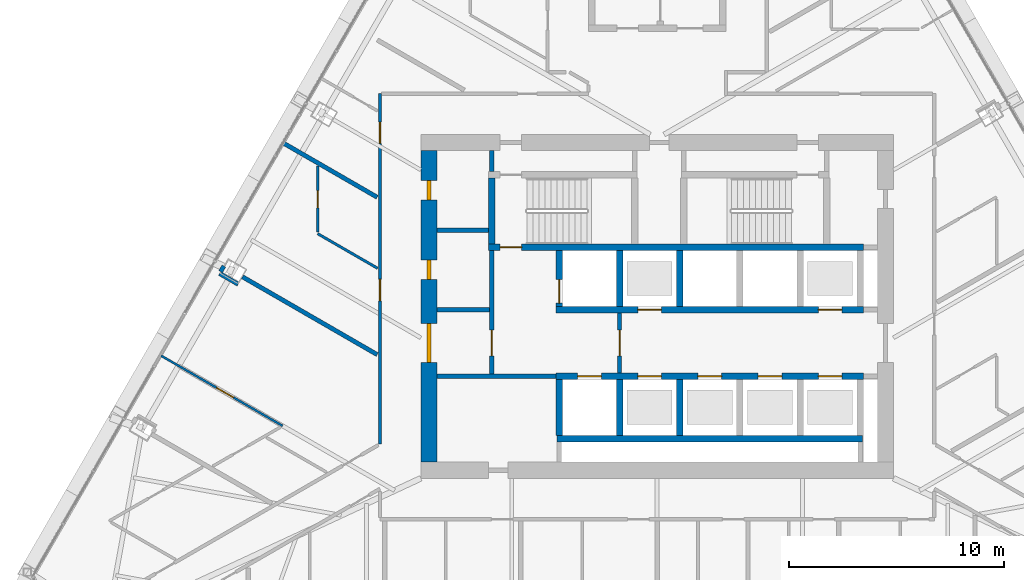
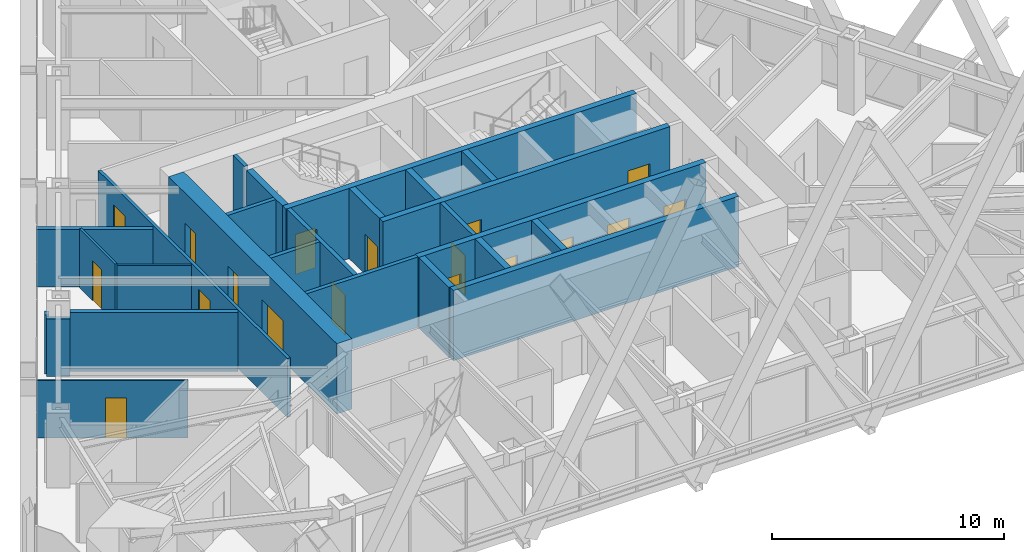
# One storey, part 13 of 19: 26 walls, 18 doors, 18 openings.
"""IFC4 building model written with IfcOpenShell, lengths in metres."""

from ifc_helpers import new_model, si_unit, direction, frame, frame_2d, origin, place, context, subcontext, project, spatial, rectangle, extrude, material, layer, layer_set, type_object, element, fill, save


model = new_model("IFC4")

# Units and contexts
model_context = context("Model", 3, precision=1e-05, world=origin(), true_north=direction((0.0, 1.0)))
body_context = subcontext(model_context, "Body", "Model", "MODEL_VIEW")
ifc_project = project(units=[si_unit("LENGTHUNIT", "METRE"), si_unit("AREAUNIT", "SQUARE_METRE"), si_unit("VOLUMEUNIT", "CUBIC_METRE"), si_unit("PLANEANGLEUNIT", "RADIAN"), si_unit("MASSUNIT", "GRAM", prefix="KILO")], contexts=[model_context])

# Site, building, storey
site_placement = place(None, origin())
site = spatial("IfcSite", under=ifc_project, at=site_placement, CompositionType="ELEMENT")
building_placement = place(site_placement, origin())
building = spatial("IfcBuilding", under=site, at=building_placement, Name="Firuza Gate Tower and Library", CompositionType="ELEMENT")
storey_placement = place(building_placement, frame((0.0, 0.0, 218.199951171875)))
storey = spatial("IfcBuildingStorey", under=building, at=storey_placement, Name="L51", CompositionType="ELEMENT", Elevation=218.199951171875)

# Walls
ifc_material_1 = material(Name="Plasterboard on steel studs", Category="steel")
ifc_layer_1 = layer(ifc_material_1, 0.199951171875)
ifc_layer_set_1 = layer_set([ifc_layer_1], Name="Core partition 200 EI 120")
wall_type_1 = type_object("IfcWallType", Name="Core partition 200 EI 120", PredefinedType="PARTITIONING", material=ifc_layer_set_1)
wall_1_placement = place(storey_placement, frame((64.75, 71.75, 0.0), z_axis=(0.0, 0.0, 1.0), x_axis=(1.0, 0.0, 0.0)))
element("IfcWall", 1, at=wall_1_placement, inside=storey, type_object=wall_type_1, Name="Core partition L51 1", PredefinedType="PARTITIONING", context=body_context, shape_type="SweptSolid", body=[
    extrude(rectangle(XDim=5.550048828125, YDim=0.199951171875, at=frame_2d((2.77490234375, 0.0))), origin(), (0.0, 0.0, 1.0), 3.699951171875),
])
ifc_material_2 = material(Name="Plasterboard on steel studs", Category="steel")
ifc_layer_2 = layer(ifc_material_2, 0.199951171875)
ifc_layer_set_2 = layer_set([ifc_layer_2], Name="Core partition 200 EI 60")
wall_type_2 = type_object("IfcWallType", Name="Core partition 200 EI 60", PredefinedType="PARTITIONING", material=ifc_layer_set_2)
wall_2_placement = place(storey_placement, frame((64.75, 74.85009765625, 0.0), z_axis=(0.0, 0.0, 1.0), x_axis=(1.0, 0.0, 0.0)))
element("IfcWall", 2, at=wall_2_placement, inside=storey, type_object=wall_type_2, Name="Core partition L51 3", PredefinedType="PARTITIONING", context=body_context, shape_type="SweptSolid", body=[
    extrude(rectangle(XDim=2.449951171875, YDim=0.199951171875, at=frame_2d((1.22509765625, 0.0))), origin(), (0.0, 0.0, 1.0), 3.699951171875),
])
wall_3_placement = place(storey_placement, frame((64.75, 78.550048828125, 0.0), z_axis=(0.0, 0.0, 1.0), x_axis=(1.0, 0.0, 0.0)))
element("IfcWall", 3, at=wall_3_placement, inside=storey, type_object=wall_type_2, Name="Core partition L51 6", PredefinedType="PARTITIONING", context=body_context, shape_type="SweptSolid", body=[
    extrude(rectangle(XDim=2.39990234375, YDim=0.199951171875, at=frame_2d((1.199951171875, 0.0))), origin(), (0.0, 0.0, 1.0), 3.699951171875),
])

# Wall, opening, door
wall_4_placement = place(storey_placement, frame((67.300048828125, 71.85009765625, 0.0), z_axis=(0.0, 0.0, 1.0), x_axis=(0.0, 1.0, 0.0)))
wall_4 = element("IfcWall", 4, at=wall_4_placement, inside=storey, type_object=wall_type_2, Name="Core partition L51 7", PredefinedType="PARTITIONING", context=body_context, shape_type="SweptSolid", body=[
    extrude(rectangle(XDim=5.75, YDim=0.199951171875, at=frame_2d((2.875, 0.0))), origin(), (0.0, 0.0, 1.0), 3.699951171875),
])
opening_1_placement = place(wall_4_placement, frame((0.85009765625, 0.0, 0.0)))
opening_1 = element("IfcOpeningElement", 5, at=opening_1_placement, cuts=wall_4, Name="Opening L51-K19", PredefinedType="OPENING", context=body_context, shape_type="SweptSolid", body=[
    extrude(rectangle(XDim=1.199951171875, YDim=2.10009765625, at=frame_2d((0.60009765625, 1.050048828125))), frame((0.0, 0.10986328125, 0.0), z_axis=(0.0, -1.0, 0.0), x_axis=(1.0, 0.0, 0.0)), (0.0, 0.0, 1.0), 0.219970703125),
])
ifc_material_3 = material(Name="Steel", Category="steel")
door_type_1 = type_object("IfcDoorType", Name="Fire door 1200x2100 FD90S", OperationType="NOTDEFINED", PredefinedType="DOOR", material=ifc_material_3)
door_1_placement = place(opening_1_placement, origin())
door_1 = element("IfcDoor", 6, at=door_1_placement, inside=storey, type_object=door_type_1, Name="Door L51-K19", OperationType="SINGLE_SWING_RIGHT", OverallHeight=2.10009765625, OverallWidth=1.199951171875, PredefinedType="DOOR", context=body_context, shape_type="SweptSolid", body=[
    extrude(rectangle(XDim=1.199951171875, YDim=2.10009765625, at=frame_2d((0.60009765625, 1.050048828125))), frame((0.0, 0.02490234375, 0.0), z_axis=(0.0, -1.0, 0.0), x_axis=(1.0, 0.0, 0.0)), (0.0, 0.0, 1.0), 0.050048828125),
])
fill(opening_1, door_1)

# Wall
wall_5_placement = place(storey_placement, frame((67.300048828125, 81.280029296875, 0.0), z_axis=(0.0, 0.0, 1.0), x_axis=(0.0, 1.0, 0.0)))
element("IfcWall", 7, at=wall_5_placement, inside=storey, type_object=wall_type_2, Name="Core partition L51 8", PredefinedType="PARTITIONING", context=body_context, shape_type="SweptSolid", body=[
    extrude(rectangle(XDim=0.969970703125, YDim=0.199951171875, at=frame_2d((0.48486328125, 0.0))), origin(), (0.0, 0.0, 1.0), 3.699951171875),
])

# Wall, opening, door
wall_6_placement = place(storey_placement, frame((73.25, 71.89990234375, 0.0), z_axis=(0.0, 0.0, 1.0), x_axis=(0.0, 1.0, 0.0)))
wall_6 = element("IfcWall", 8, at=wall_6_placement, inside=storey, type_object=wall_type_2, Name="Core partition L51 10", PredefinedType="PARTITIONING", context=body_context, shape_type="SweptSolid", body=[
    extrude(rectangle(XDim=2.800048828125, YDim=0.199951171875, at=frame_2d((1.39990234375, 0.0))), origin(), (0.0, 0.0, 1.0), 3.699951171875),
])
opening_2_placement = place(wall_6_placement, frame((0.800048828125, 0.0, 0.0)))
opening_2 = element("IfcOpeningElement", 9, at=opening_2_placement, cuts=wall_6, Name="Opening L51-K18", PredefinedType="OPENING", context=body_context, shape_type="SweptSolid", body=[
    extrude(rectangle(XDim=1.199951171875, YDim=2.10009765625, at=frame_2d((0.60009765625, 1.050048828125))), frame((0.0, 0.10986328125, 0.0), z_axis=(0.0, -1.0, 0.0), x_axis=(1.0, 0.0, 0.0)), (0.0, 0.0, 1.0), 0.219970703125),
])
door_2_placement = place(opening_2_placement, origin())
door_2 = element("IfcDoor", 10, at=door_2_placement, inside=storey, type_object=door_type_1, Name="Door L51-K18", OperationType="SINGLE_SWING_LEFT", OverallHeight=2.10009765625, OverallWidth=1.199951171875, PredefinedType="DOOR", context=body_context, shape_type="SweptSolid", body=[
    extrude(rectangle(XDim=1.199951171875, YDim=2.10009765625, at=frame_2d((0.60009765625, 1.050048828125))), frame((0.0, 0.02490234375, 0.0), z_axis=(0.0, -1.0, 0.0), x_axis=(1.0, 0.0, 0.0)), (0.0, 0.0, 1.0), 0.050048828125),
])
fill(opening_2, door_2)

# Wall
ifc_material_4 = material(Name="Concrete C80/95", Category="concrete")
ifc_layer_3 = layer(ifc_material_4, 0.300048828125)
ifc_layer_set_3 = layer_set([ifc_layer_3], Name="Core wall 300 C80/95")
wall_type_3 = type_object("IfcWallType", Name="Core wall 300 C80/95", PredefinedType="SHEAR", material=ifc_layer_set_3)
wall_7_placement = place(storey_placement, frame((70.35009765625, 68.85009765625, 0.0), z_axis=(0.0, 0.0, 1.0), x_axis=(1.0, 0.0, 0.0)))
element("IfcWall", 11, at=wall_7_placement, inside=storey, type_object=wall_type_3, Name="Core wall L51 5", PredefinedType="SHEAR", context=body_context, shape_type="SweptSolid", body=[
    extrude(rectangle(XDim=14.199951171875, YDim=0.300048828125, at=frame_2d((7.10009765625, 0.0))), origin(), (0.0, 0.0, 1.0), 3.699951171875),
])

# Wall, openings, doors
wall_8_placement = place(storey_placement, frame((70.300048828125, 71.75, 0.0), z_axis=(0.0, 0.0, 1.0), x_axis=(1.0, 0.0, 0.0)))
wall_8 = element("IfcWall", 12, at=wall_8_placement, inside=storey, type_object=wall_type_3, Name="Core wall L51 6", PredefinedType="SHEAR", context=body_context, shape_type="SweptSolid", body=[
    extrude(rectangle(XDim=14.300048828125, YDim=0.300048828125, at=frame_2d((7.14990234375, 0.0))), origin(), (0.0, 0.0, 1.0), 3.699951171875),
])
opening_3_placement = place(wall_8_placement, frame((1.0, 0.0, 0.0)))
opening_3 = element("IfcOpeningElement", 13, at=opening_3_placement, cuts=wall_8, Name="Opening LD-FF1-L51", PredefinedType="OPENING", context=body_context, shape_type="SweptSolid", body=[
    extrude(rectangle(XDim=1.10009765625, YDim=2.10009765625, at=frame_2d((0.550048828125, 1.050048828125))), frame((0.0, 0.16015625, 0.0), z_axis=(0.0, -1.0, 0.0), x_axis=(1.0, 0.0, 0.0)), (0.0, 0.0, 1.0), 0.320068359375),
])
opening_4_placement = place(wall_8_placement, frame((3.800048828125, 0.0, 0.0)))
opening_4 = element("IfcOpeningElement", 14, at=opening_4_placement, cuts=wall_8, Name="Opening LD-MR1-L51", PredefinedType="OPENING", context=body_context, shape_type="SweptSolid", body=[
    extrude(rectangle(XDim=1.10009765625, YDim=2.10009765625, at=frame_2d((0.550048828125, 1.050048828125))), frame((0.0, 0.16015625, 0.0), z_axis=(0.0, -1.0, 0.0), x_axis=(1.0, 0.0, 0.0)), (0.0, 0.0, 1.0), 0.320068359375),
])
opening_5_placement = place(wall_8_placement, frame((6.60009765625, 0.0, 0.0)))
opening_5 = element("IfcOpeningElement", 15, at=opening_5_placement, cuts=wall_8, Name="Opening LD-MR2-L51", PredefinedType="OPENING", context=body_context, shape_type="SweptSolid", body=[
    extrude(rectangle(XDim=1.10009765625, YDim=2.10009765625, at=frame_2d((0.550048828125, 1.050048828125))), frame((0.0, 0.16015625, 0.0), z_axis=(0.0, -1.0, 0.0), x_axis=(1.0, 0.0, 0.0)), (0.0, 0.0, 1.0), 0.320068359375),
])
opening_6_placement = place(wall_8_placement, frame((9.39990234375, 0.0, 0.0)))
opening_6 = element("IfcOpeningElement", 16, at=opening_6_placement, cuts=wall_8, Name="Opening LD-MR3-L51", PredefinedType="OPENING", context=body_context, shape_type="SweptSolid", body=[
    extrude(rectangle(XDim=1.10009765625, YDim=2.10009765625, at=frame_2d((0.550048828125, 1.050048828125))), frame((0.0, 0.16015625, 0.0), z_axis=(0.0, -1.0, 0.0), x_axis=(1.0, 0.0, 0.0)), (0.0, 0.0, 1.0), 0.320068359375),
])
opening_7_placement = place(wall_8_placement, frame((12.199951171875, 0.0, 0.0)))
opening_7 = element("IfcOpeningElement", 17, at=opening_7_placement, cuts=wall_8, Name="Opening LD-MR5-L51", PredefinedType="OPENING", context=body_context, shape_type="SweptSolid", body=[
    extrude(rectangle(XDim=1.10009765625, YDim=2.10009765625, at=frame_2d((0.550048828125, 1.050048828125))), frame((0.0, 0.16015625, 0.0), z_axis=(0.0, -1.0, 0.0), x_axis=(1.0, 0.0, 0.0)), (0.0, 0.0, 1.0), 0.320068359375),
])
ifc_material_5 = material(Name="Stainless steel", Category="steel")
door_type_2 = type_object("IfcDoorType", Name="Lift landing door 1100x2100", OperationType="DOUBLE_DOOR_SLIDING", PredefinedType="DOOR", material=ifc_material_5)
door_3_placement = place(opening_3_placement, origin())
door_3 = element("IfcDoor", 18, at=door_3_placement, inside=storey, type_object=door_type_2, Name="Landing door FF1 L51", OperationType="DOUBLE_DOOR_SLIDING", OverallHeight=2.10009765625, OverallWidth=1.10009765625, PredefinedType="DOOR", context=body_context, shape_type="SweptSolid", body=[
    extrude(rectangle(XDim=1.10009765625, YDim=2.10009765625, at=frame_2d((0.550048828125, 1.050048828125))), frame((0.0, 0.02490234375, 0.0), z_axis=(0.0, -1.0, 0.0), x_axis=(1.0, 0.0, 0.0)), (0.0, 0.0, 1.0), 0.050048828125),
])
fill(opening_3, door_3)
door_4_placement = place(opening_4_placement, origin())
door_4 = element("IfcDoor", 19, at=door_4_placement, inside=storey, type_object=door_type_2, Name="Landing door MR1 L51", OperationType="DOUBLE_DOOR_SLIDING", OverallHeight=2.10009765625, OverallWidth=1.10009765625, PredefinedType="DOOR", context=body_context, shape_type="SweptSolid", body=[
    extrude(rectangle(XDim=1.10009765625, YDim=2.10009765625, at=frame_2d((0.550048828125, 1.050048828125))), frame((0.0, 0.02490234375, 0.0), z_axis=(0.0, -1.0, 0.0), x_axis=(1.0, 0.0, 0.0)), (0.0, 0.0, 1.0), 0.050048828125),
])
fill(opening_4, door_4)
door_5_placement = place(opening_5_placement, origin())
door_5 = element("IfcDoor", 20, at=door_5_placement, inside=storey, type_object=door_type_2, Name="Landing door MR2 L51", OperationType="DOUBLE_DOOR_SLIDING", OverallHeight=2.10009765625, OverallWidth=1.10009765625, PredefinedType="DOOR", context=body_context, shape_type="SweptSolid", body=[
    extrude(rectangle(XDim=1.10009765625, YDim=2.10009765625, at=frame_2d((0.550048828125, 1.050048828125))), frame((0.0, 0.02490234375, 0.0), z_axis=(0.0, -1.0, 0.0), x_axis=(1.0, 0.0, 0.0)), (0.0, 0.0, 1.0), 0.050048828125),
])
fill(opening_5, door_5)
door_6_placement = place(opening_6_placement, origin())
door_6 = element("IfcDoor", 21, at=door_6_placement, inside=storey, type_object=door_type_2, Name="Landing door MR3 L51", OperationType="DOUBLE_DOOR_SLIDING", OverallHeight=2.10009765625, OverallWidth=1.10009765625, PredefinedType="DOOR", context=body_context, shape_type="SweptSolid", body=[
    extrude(rectangle(XDim=1.10009765625, YDim=2.10009765625, at=frame_2d((0.550048828125, 1.050048828125))), frame((0.0, 0.02490234375, 0.0), z_axis=(0.0, -1.0, 0.0), x_axis=(1.0, 0.0, 0.0)), (0.0, 0.0, 1.0), 0.050048828125),
])
fill(opening_6, door_6)
door_7_placement = place(opening_7_placement, origin())
door_7 = element("IfcDoor", 22, at=door_7_placement, inside=storey, type_object=door_type_2, Name="Landing door MR5 L51", OperationType="DOUBLE_DOOR_SLIDING", OverallHeight=2.10009765625, OverallWidth=1.10009765625, PredefinedType="DOOR", context=body_context, shape_type="SweptSolid", body=[
    extrude(rectangle(XDim=1.10009765625, YDim=2.10009765625, at=frame_2d((0.550048828125, 1.050048828125))), frame((0.0, 0.02490234375, 0.0), z_axis=(0.0, -1.0, 0.0), x_axis=(1.0, 0.0, 0.0)), (0.0, 0.0, 1.0), 0.050048828125),
])
fill(opening_7, door_7)

wall_9_placement = place(storey_placement, frame((70.300048828125, 74.85009765625, 0.0), z_axis=(0.0, 0.0, 1.0), x_axis=(1.0, 0.0, 0.0)))
wall_9 = element("IfcWall", 23, at=wall_9_placement, inside=storey, type_object=wall_type_3, Name="Core wall L51 7", PredefinedType="SHEAR", context=body_context, shape_type="SweptSolid", body=[
    extrude(rectangle(XDim=14.300048828125, YDim=0.300048828125, at=frame_2d((7.14990234375, 0.0))), origin(), (0.0, 0.0, 1.0), 3.699951171875),
])
opening_8_placement = place(wall_9_placement, frame((3.800048828125, 0.0, 0.0)))
opening_8 = element("IfcOpeningElement", 24, at=opening_8_placement, cuts=wall_9, Name="Opening LD-MR4-L51", PredefinedType="OPENING", context=body_context, shape_type="SweptSolid", body=[
    extrude(rectangle(XDim=1.10009765625, YDim=2.10009765625, at=frame_2d((0.550048828125, 1.050048828125))), frame((0.0, 0.16015625, 0.0), z_axis=(0.0, -1.0, 0.0), x_axis=(1.0, 0.0, 0.0)), (0.0, 0.0, 1.0), 0.320068359375),
])
opening_9_placement = place(wall_9_placement, frame((12.199951171875, 0.0, 0.0)))
opening_9 = element("IfcOpeningElement", 25, at=opening_9_placement, cuts=wall_9, Name="Opening LD-MR6-L51", PredefinedType="OPENING", context=body_context, shape_type="SweptSolid", body=[
    extrude(rectangle(XDim=1.10009765625, YDim=2.10009765625, at=frame_2d((0.550048828125, 1.050048828125))), frame((0.0, 0.16015625, 0.0), z_axis=(0.0, -1.0, 0.0), x_axis=(1.0, 0.0, 0.0)), (0.0, 0.0, 1.0), 0.320068359375),
])
door_8_placement = place(opening_8_placement, origin())
door_8 = element("IfcDoor", 26, at=door_8_placement, inside=storey, type_object=door_type_2, Name="Landing door MR4 L51", OperationType="DOUBLE_DOOR_SLIDING", OverallHeight=2.10009765625, OverallWidth=1.10009765625, PredefinedType="DOOR", context=body_context, shape_type="SweptSolid", body=[
    extrude(rectangle(XDim=1.10009765625, YDim=2.10009765625, at=frame_2d((0.550048828125, 1.050048828125))), frame((0.0, 0.02490234375, 0.0), z_axis=(0.0, -1.0, 0.0), x_axis=(1.0, 0.0, 0.0)), (0.0, 0.0, 1.0), 0.050048828125),
])
fill(opening_8, door_8)
door_9_placement = place(opening_9_placement, origin())
door_9 = element("IfcDoor", 27, at=door_9_placement, inside=storey, type_object=door_type_2, Name="Landing door MR6 L51", OperationType="DOUBLE_DOOR_SLIDING", OverallHeight=2.10009765625, OverallWidth=1.10009765625, PredefinedType="DOOR", context=body_context, shape_type="SweptSolid", body=[
    extrude(rectangle(XDim=1.10009765625, YDim=2.10009765625, at=frame_2d((0.550048828125, 1.050048828125))), frame((0.0, 0.02490234375, 0.0), z_axis=(0.0, -1.0, 0.0), x_axis=(1.0, 0.0, 0.0)), (0.0, 0.0, 1.0), 0.050048828125),
])
fill(opening_9, door_9)

# Wall
wall_10_placement = place(storey_placement, frame((70.449951171875, 69.0, 0.0), z_axis=(0.0, 0.0, 1.0), x_axis=(0.0, 1.0, 0.0)))
element("IfcWall", 28, at=wall_10_placement, inside=storey, type_object=wall_type_3, Name="Core wall L51 8", PredefinedType="SHEAR", context=body_context, shape_type="SweptSolid", body=[
    extrude(rectangle(XDim=2.60009765625, YDim=0.300048828125, at=frame_2d((1.300048828125, 0.0))), origin(), (0.0, 0.0, 1.0), 3.699951171875),
])

# Wall, opening, door
wall_11_placement = place(storey_placement, frame((70.449951171875, 75.0, 0.0), z_axis=(0.0, 0.0, 1.0), x_axis=(0.0, 1.0, 0.0)))
wall_11 = element("IfcWall", 29, at=wall_11_placement, inside=storey, type_object=wall_type_3, Name="Core wall L51 9", PredefinedType="SHEAR", context=body_context, shape_type="SweptSolid", body=[
    extrude(rectangle(XDim=2.60009765625, YDim=0.300048828125, at=frame_2d((1.300048828125, 0.0))), origin(), (0.0, 0.0, 1.0), 3.699951171875),
])
opening_10_placement = place(wall_11_placement, frame((0.14990234375, 0.0, 0.0)))
opening_10 = element("IfcOpeningElement", 30, at=opening_10_placement, cuts=wall_11, Name="Opening LD-FF2-L51", PredefinedType="OPENING", context=body_context, shape_type="SweptSolid", body=[
    extrude(rectangle(XDim=1.10009765625, YDim=2.10009765625, at=frame_2d((0.550048828125, 1.050048828125))), frame((0.0, 0.16015625, 0.0), z_axis=(0.0, -1.0, 0.0), x_axis=(1.0, 0.0, 0.0)), (0.0, 0.0, 1.0), 0.320068359375),
])
door_10_placement = place(opening_10_placement, origin())
door_10 = element("IfcDoor", 31, at=door_10_placement, inside=storey, type_object=door_type_2, Name="Landing door FF2 L51", OperationType="DOUBLE_DOOR_SLIDING", OverallHeight=2.10009765625, OverallWidth=1.10009765625, PredefinedType="DOOR", context=body_context, shape_type="SweptSolid", body=[
    extrude(rectangle(XDim=1.10009765625, YDim=2.10009765625, at=frame_2d((0.550048828125, 1.050048828125))), frame((0.0, 0.02490234375, 0.0), z_axis=(0.0, -1.0, 0.0), x_axis=(1.0, 0.0, 0.0)), (0.0, 0.0, 1.0), 0.050048828125),
])
fill(opening_10, door_10)

# Walls
for number, where, z_axis, x_axis, name in (
    (32, (73.25, 69.0, 0.0), (0.0, 0.0, 1.0), (0.0, 1.0, 0.0), "Core wall L51 10"),
    (33, (73.25, 75.0, 0.0), (0.0, 0.0, 1.0), (0.0, 1.0, 0.0), "Core wall L51 11"),
    (34, (76.050048828125, 69.0, 0.0), (0.0, 0.0, 1.0), (0.0, 1.0, 0.0), "Core wall L51 12"),
    (35, (76.050048828125, 75.0, 0.0), (0.0, 0.0, 1.0), (0.0, 1.0, 0.0), "Core wall L51 13"),
):
    element("IfcWall", number, at=place(storey_placement, frame(where, z_axis=z_axis, x_axis=x_axis)), inside=storey, type_object=wall_type_3, Name=name, PredefinedType="SHEAR", context=body_context, shape_type="SweptSolid", body=[
        extrude(rectangle(XDim=2.60009765625, YDim=0.300048828125, at=frame_2d((1.300048828125, 0.0))), origin(), (0.0, 0.0, 1.0), 3.699951171875),
    ])

# Wall, opening, door
wall_12_placement = place(storey_placement, frame((67.14990234375, 77.75, 0.0), z_axis=(0.0, 0.0, 1.0), x_axis=(1.0, 0.0, 0.0)))
wall_12 = element("IfcWall", 36, at=wall_12_placement, inside=storey, type_object=wall_type_3, Name="Core wall L51 20", PredefinedType="SHEAR", context=body_context, shape_type="SweptSolid", body=[
    extrude(rectangle(XDim=17.4501953125, YDim=0.300048828125, at=frame_2d((8.72509765625, 0.0))), origin(), (0.0, 0.0, 1.0), 3.699951171875),
])
opening_11_placement = place(wall_12_placement, frame((0.544921875, 0.0, 0.0)))
opening_11 = element("IfcOpeningElement", 37, at=opening_11_placement, cuts=wall_12, Name="Opening L51-K10", PredefinedType="OPENING", context=body_context, shape_type="SweptSolid", body=[
    extrude(rectangle(XDim=1.0, YDim=2.10009765625, at=frame_2d((0.5, 1.050048828125))), frame((0.0, 0.16015625, 0.0), z_axis=(0.0, -1.0, 0.0), x_axis=(1.0, 0.0, 0.0)), (0.0, 0.0, 1.0), 0.320068359375),
])
ifc_material_6 = material(Name="Steel", Category="steel")
door_type_3 = type_object("IfcDoorType", Name="Fire door 1000x2100 FD90", OperationType="NOTDEFINED", PredefinedType="DOOR", material=ifc_material_6)
door_11_placement = place(opening_11_placement, origin())
door_11 = element("IfcDoor", 38, at=door_11_placement, inside=storey, type_object=door_type_3, Name="Door L51-K10", OperationType="SINGLE_SWING_LEFT", OverallHeight=2.10009765625, OverallWidth=1.0, PredefinedType="DOOR", context=body_context, shape_type="SweptSolid", body=[
    extrude(rectangle(XDim=1.0, YDim=2.10009765625, at=frame_2d((0.5, 1.050048828125))), frame((0.0, 0.02490234375, 0.0), z_axis=(0.0, -1.0, 0.0), x_axis=(1.0, 0.0, 0.0)), (0.0, 0.0, 1.0), 0.050048828125),
])
fill(opening_11, door_11)

# Wall
wall_13_placement = place(storey_placement, frame((67.300048828125, 77.89990234375, 0.0), z_axis=(0.0, 0.0, 1.0), x_axis=(0.0, 1.0, 0.0)))
element("IfcWall", 39, at=wall_13_placement, inside=storey, type_object=wall_type_3, Name="Core wall L51 23", PredefinedType="SHEAR", context=body_context, shape_type="SweptSolid", body=[
    extrude(rectangle(XDim=3.080078125, YDim=0.300048828125, at=frame_2d((1.5400390625, 0.0))), origin(), (0.0, 0.0, 1.0), 3.699951171875),
])

# Wall, openings, doors
ifc_material_7 = material(Name="Concrete C80/95", Category="concrete")
ifc_layer_4 = layer(ifc_material_7, 0.75)
ifc_layer_set_4 = layer_set([ifc_layer_4], Name="Core wall 750 C80/95")
wall_type_4 = type_object("IfcWallType", Name="Core wall 750 C80/95", PredefinedType="SHEAR", material=ifc_layer_set_4)
wall_14_placement = place(storey_placement, frame((64.375, 67.75, 0.0), z_axis=(0.0, 0.0, 1.0), x_axis=(0.0, 1.0, 0.0)))
wall_14 = element("IfcWall", 40, at=wall_14_placement, inside=storey, type_object=wall_type_4, Name="Core wall L51 3", PredefinedType="SHEAR", context=body_context, shape_type="SweptSolid", body=[
    extrude(rectangle(XDim=14.5, YDim=0.75, at=frame_2d((7.25, 0.0))), origin(), (0.0, 0.0, 1.0), 3.699951171875),
])
opening_12_placement = place(wall_14_placement, frame((4.64990234375, 0.0, 0.0)))
opening_12 = element("IfcOpeningElement", 41, at=opening_12_placement, cuts=wall_14, Name="Opening L51-K20", PredefinedType="OPENING", context=body_context, shape_type="SweptSolid", body=[
    extrude(rectangle(XDim=1.800048828125, YDim=2.10009765625, at=frame_2d((0.89990234375, 1.050048828125))), frame((0.0, 0.385009765625, 0.0), z_axis=(0.0, -1.0, 0.0), x_axis=(1.0, 0.0, 0.0)), (0.0, 0.0, 1.0), 0.77001953125),
])
opening_13_placement = place(wall_14_placement, frame((8.5, 0.0, 0.0)))
opening_13 = element("IfcOpeningElement", 42, at=opening_13_placement, cuts=wall_14, Name="Opening L51-K23", PredefinedType="OPENING", context=body_context, shape_type="SweptSolid", body=[
    extrude(rectangle(XDim=0.89990234375, YDim=2.10009765625, at=frame_2d((0.449951171875, 1.050048828125))), frame((0.0, 0.385009765625, 0.0), z_axis=(0.0, -1.0, 0.0), x_axis=(1.0, 0.0, 0.0)), (0.0, 0.0, 1.0), 0.77001953125),
])
opening_14_placement = place(wall_14_placement, frame((12.199951171875, 0.0, 0.0)))
opening_14 = element("IfcOpeningElement", 43, at=opening_14_placement, cuts=wall_14, Name="Opening L51-K24", PredefinedType="OPENING", context=body_context, shape_type="SweptSolid", body=[
    extrude(rectangle(XDim=0.89990234375, YDim=2.10009765625, at=frame_2d((0.449951171875, 1.050048828125))), frame((0.0, 0.385009765625, 0.0), z_axis=(0.0, -1.0, 0.0), x_axis=(1.0, 0.0, 0.0)), (0.0, 0.0, 1.0), 0.77001953125),
])
ifc_material_8 = material(Name="Steel", Category="steel")
door_type_4 = type_object("IfcDoorType", Name="Fire door 1800x2100 FD30S", OperationType="NOTDEFINED", PredefinedType="DOOR", material=ifc_material_8)
door_12_placement = place(opening_12_placement, origin())
door_12 = element("IfcDoor", 44, at=door_12_placement, inside=storey, type_object=door_type_4, Name="Door L51-K20", OperationType="SINGLE_SWING_LEFT", OverallHeight=2.10009765625, OverallWidth=1.800048828125, PredefinedType="DOOR", context=body_context, shape_type="SweptSolid", body=[
    extrude(rectangle(XDim=1.800048828125, YDim=2.10009765625, at=frame_2d((0.89990234375, 1.050048828125))), frame((0.0, 0.094970703125, 0.0), z_axis=(0.0, -1.0, 0.0), x_axis=(1.0, 0.0, 0.0)), (0.0, 0.0, 1.0), 0.18994140625),
])
fill(opening_12, door_12)
ifc_material_9 = material(Name="Steel", Category="steel")
door_type_5 = type_object("IfcDoorType", Name="Fire door 900x2100 FD30S", OperationType="NOTDEFINED", PredefinedType="DOOR", material=ifc_material_9)
door_13_placement = place(opening_13_placement, origin())
door_13 = element("IfcDoor", 45, at=door_13_placement, inside=storey, type_object=door_type_5, Name="Door L51-K23", OperationType="SINGLE_SWING_RIGHT", OverallHeight=2.10009765625, OverallWidth=0.89990234375, PredefinedType="DOOR", context=body_context, shape_type="SweptSolid", body=[
    extrude(rectangle(XDim=0.89990234375, YDim=2.10009765625, at=frame_2d((0.449951171875, 1.050048828125))), frame((0.0, 0.094970703125, 0.0), z_axis=(0.0, -1.0, 0.0), x_axis=(1.0, 0.0, 0.0)), (0.0, 0.0, 1.0), 0.18994140625),
])
fill(opening_13, door_13)
door_14_placement = place(opening_14_placement, origin())
door_14 = element("IfcDoor", 46, at=door_14_placement, inside=storey, type_object=door_type_5, Name="Door L51-K24", OperationType="SINGLE_SWING_LEFT", OverallHeight=2.10009765625, OverallWidth=0.89990234375, PredefinedType="DOOR", context=body_context, shape_type="SweptSolid", body=[
    extrude(rectangle(XDim=0.89990234375, YDim=2.10009765625, at=frame_2d((0.449951171875, 1.050048828125))), frame((0.0, 0.094970703125, 0.0), z_axis=(0.0, -1.0, 0.0), x_axis=(1.0, 0.0, 0.0)), (0.0, 0.0, 1.0), 0.18994140625),
])
fill(opening_14, door_14)

ifc_material_10 = material(Name="Gypsum board partition")
ifc_layer_5 = layer(ifc_material_10, 0.14990234375)
ifc_layer_set_5 = layer_set([ifc_layer_5], Name="Corridor wall 150 double board on steel studs")
wall_type_5 = type_object("IfcWallType", Name="Corridor wall 150 double board on steel studs", PredefinedType="PARTITIONING", material=ifc_layer_set_5)
wall_15_placement = place(storey_placement, frame((62.10009765625, 68.59130859375, 0.0), z_axis=(0.0, 0.0, 1.0), x_axis=(0.0, 1.0, 0.0)))
wall_15 = element("IfcWall", 47, at=wall_15_placement, inside=storey, type_object=wall_type_5, Name="f:L51:w082", PredefinedType="PARTITIONING", context=body_context, shape_type="SweptSolid", body=[
    extrude(rectangle(XDim=16.30859375, YDim=0.14990234375, at=frame_2d((8.154296875, 0.0))), origin(), (0.0, 0.0, 1.0), 3.10009765625),
])
opening_15_placement = place(wall_15_placement, frame((6.66845703125, 0.0, 0.0)))
opening_15 = element("IfcOpeningElement", 48, at=opening_15_placement, cuts=wall_15, Name="Opening L51-37", PredefinedType="OPENING", context=body_context, shape_type="SweptSolid", body=[
    extrude(rectangle(XDim=1.0, YDim=2.10009765625, at=frame_2d((0.5, 1.050048828125))), frame((0.0, 0.0849609375, 0.0), z_axis=(0.0, -1.0, 0.0), x_axis=(1.0, 0.0, 0.0)), (0.0, 0.0, 1.0), 0.169921875),
])
opening_16_placement = place(wall_15_placement, frame((13.991455078125, 0.0, 0.0)))
opening_16 = element("IfcOpeningElement", 49, at=opening_16_placement, cuts=wall_15, Name="Opening L51-38", PredefinedType="OPENING", context=body_context, shape_type="SweptSolid", body=[
    extrude(rectangle(XDim=1.0, YDim=2.10009765625, at=frame_2d((0.5, 1.050048828125))), frame((0.0, 0.0849609375, 0.0), z_axis=(0.0, -1.0, 0.0), x_axis=(1.0, 0.0, 0.0)), (0.0, 0.0, 1.0), 0.169921875),
])
ifc_material_11 = material(Name="Steel door and timber leaf", Category="steel")
door_type_6 = type_object("IfcDoorType", Name="Fire door 1000 x 2100 steel frame, timber leaf", OperationType="NOTDEFINED", PredefinedType="DOOR", material=ifc_material_11)
door_15_placement = place(opening_15_placement, origin())
door_15 = element("IfcDoor", 50, at=door_15_placement, inside=storey, type_object=door_type_6, Name="f:L51:d037", OperationType="SINGLE_SWING_RIGHT", OverallHeight=2.10009765625, OverallWidth=1.0, PredefinedType="DOOR", context=body_context, shape_type="SweptSolid", body=[
    extrude(rectangle(XDim=1.0, YDim=2.10009765625, at=frame_2d((0.5, 1.050048828125))), frame((0.0, 0.02490234375, 0.0), z_axis=(0.0, -1.0, 0.0), x_axis=(1.0, 0.0, 0.0)), (0.0, 0.0, 1.0), 0.050048828125),
])
fill(opening_15, door_15)
door_16_placement = place(opening_16_placement, origin())
door_16 = element("IfcDoor", 51, at=door_16_placement, inside=storey, type_object=door_type_6, Name="f:L51:d038", OperationType="SINGLE_SWING_RIGHT", OverallHeight=2.10009765625, OverallWidth=1.0, PredefinedType="DOOR", context=body_context, shape_type="SweptSolid", body=[
    extrude(rectangle(XDim=1.0, YDim=2.10009765625, at=frame_2d((0.5, 1.050048828125))), frame((0.0, 0.02490234375, 0.0), z_axis=(0.0, -1.0, 0.0), x_axis=(1.0, 0.0, 0.0)), (0.0, 0.0, 1.0), 0.050048828125),
])
fill(opening_16, door_16)

# Walls
ifc_material_12 = material(Name="Gypsum board partition")
ifc_layer_6 = layer(ifc_material_12, 0.199951171875)
ifc_layer_set_6 = layer_set([ifc_layer_6], Name="Demising wall 200 acoustic double stud")
wall_type_6 = type_object("IfcWallType", Name="Demising wall 200 acoustic double stud", PredefinedType="PARTITIONING", material=ifc_layer_set_6)
wall_16_placement = place(storey_placement, frame((54.684814453125, 76.618896484375, 0.0), z_axis=(0.0, 0.0, 1.0), x_axis=(0.499816412211, 0.866131372301, 0.0)))
element("IfcWall", 52, at=wall_16_placement, inside=storey, type_object=wall_type_6, Name="f:L51:w046", PredefinedType="PARTITIONING", context=body_context, shape_type="SweptSolid", body=[
    extrude(rectangle(XDim=0.2998046875, YDim=0.199951171875, at=frame_2d((0.14990234375, 0.0))), origin(), (0.0, 0.0, 1.0), 3.10009765625),
])
wall_17_placement = place(storey_placement, frame((61.97314453125, 80.080078125, 0.0), z_axis=(0.0, 0.0, 1.0), x_axis=(-0.866017018378, 0.500014523669, 0.0)))
element("IfcWall", 53, at=wall_17_placement, inside=storey, type_object=wall_type_6, Name="f:L51:w109", PredefinedType="PARTITIONING", context=body_context, shape_type="SweptSolid", body=[
    extrude(rectangle(XDim=5.040771484375, YDim=0.199951171875, at=frame_2d((2.5205078125, 0.0))), origin(), (0.0, 0.0, 1.0), 3.02197265625),
])
wall_18_placement = place(storey_placement, frame((61.972900390625, 72.757080078125, 0.0), z_axis=(0.0, 0.0, 1.0), x_axis=(-0.866027278279, 0.499996753267, 0.0)))
element("IfcWall", 54, at=wall_18_placement, inside=storey, type_object=wall_type_6, Name="f:L51:w112", PredefinedType="PARTITIONING", context=body_context, shape_type="SweptSolid", body=[
    extrude(rectangle(XDim=7.2421875, YDim=0.199951171875, at=frame_2d((3.62109375, 0.0))), origin(), (0.0, 0.0, 1.0), 3.10009765625),
])
wall_19_placement = place(storey_placement, frame((55.5009765625, 76.03173828125, 0.0), z_axis=(0.0, 0.0, 1.0), x_axis=(-0.866010750942, 0.50002537861, 0.0)))
element("IfcWall", 55, at=wall_19_placement, inside=storey, type_object=wall_type_6, Name="f:L51:w113", PredefinedType="PARTITIONING", context=body_context, shape_type="SweptSolid", body=[
    extrude(rectangle(XDim=1.0, YDim=0.199951171875, at=frame_2d((0.5, 0.0))), origin(), (0.0, 0.0, 1.0), 3.02197265625),
])

# Wall, opening, door
ifc_material_13 = material(Name="Gypsum board partition")
ifc_layer_7 = layer(ifc_material_13, 0.10009765625)
ifc_layer_set_7 = layer_set([ifc_layer_7], Name="Partition 100 gypsum board on steel studs")
wall_type_7 = type_object("IfcWallType", Name="Partition 100 gypsum board on steel studs", PredefinedType="PARTITIONING", material=ifc_layer_set_7)
wall_20_placement = place(storey_placement, frame((57.571044921875, 69.440673828125, 0.0), z_axis=(0.0, 0.0, 1.0), x_axis=(-0.866026229868, 0.499998569178, 0.0)))
wall_20 = element("IfcWall", 56, at=wall_20_placement, inside=storey, type_object=wall_type_7, Name="f:L51:w114", PredefinedType="PARTITIONING", context=body_context, shape_type="SweptSolid", body=[
    extrude(rectangle(XDim=6.53125, YDim=0.10009765625, at=frame_2d((3.265625, 0.0))), origin(), (0.0, 0.0, 1.0), 3.02197265625),
])
opening_17_placement = place(wall_20_placement, frame((2.64404296875, 0.0, 0.0)))
opening_17 = element("IfcOpeningElement", 57, at=opening_17_placement, cuts=wall_20, Name="Opening L51-48", PredefinedType="OPENING", context=body_context, shape_type="SweptSolid", body=[
    extrude(rectangle(XDim=0.89990234375, YDim=2.10009765625, at=frame_2d((0.449951171875, 1.050048828125))), frame((0.0, 0.06005859375, 0.0), z_axis=(0.0, -1.0, 0.0), x_axis=(1.0, 0.0, 0.0)), (0.0, 0.0, 1.0), 0.1201171875),
])
ifc_material_14 = material(Name="Timber door", Category="wood")
door_type_7 = type_object("IfcDoorType", Name="Door 900 x 2100 timber leaf", OperationType="NOTDEFINED", PredefinedType="DOOR", material=ifc_material_14)
door_17_placement = place(opening_17_placement, origin())
door_17 = element("IfcDoor", 58, at=door_17_placement, inside=storey, type_object=door_type_7, Name="f:L51:d048", OperationType="SINGLE_SWING_LEFT", OverallHeight=2.10009765625, OverallWidth=0.89990234375, PredefinedType="DOOR", context=body_context, shape_type="SweptSolid", body=[
    extrude(rectangle(XDim=0.89990234375, YDim=2.10009765625, at=frame_2d((0.449951171875, 1.050048828125))), frame((0.0, 0.02490234375, 0.0), z_axis=(0.0, -1.0, 0.0), x_axis=(1.0, 0.0, 0.0)), (0.0, 0.0, 1.0), 0.050048828125),
])
fill(opening_17, door_17)

ifc_material_15 = material(Name="Gypsum board partition")
ifc_layer_8 = layer(ifc_material_15, 0.1201171875)
ifc_layer_set_8 = layer_set([ifc_layer_8], Name="Wet-area partition 120 moisture-resistant board")
wall_type_8 = type_object("IfcWallType", Name="Wet-area partition 120 moisture-resistant board", PredefinedType="PARTITIONING", material=ifc_layer_set_8)
wall_21_placement = place(storey_placement, frame((59.199951171875, 81.525634765625, 0.0), z_axis=(0.0, 0.0, 1.0), x_axis=(0.0, -1.0, 0.0)))
wall_21 = element("IfcWall", 59, at=wall_21_placement, inside=storey, type_object=wall_type_8, Name="f:L51:w083", PredefinedType="PARTITIONING", context=body_context, shape_type="SweptSolid", body=[
    extrude(rectangle(XDim=3.0703125, YDim=0.1201171875, at=frame_2d((1.53515625, 0.0))), origin(), (0.0, 0.0, 1.0), 3.10009765625),
])
opening_18_placement = place(wall_21_placement, frame((1.13525390625, 0.0, 0.0)))
opening_18 = element("IfcOpeningElement", 60, at=opening_18_placement, cuts=wall_21, Name="Opening L51-39", PredefinedType="OPENING", context=body_context, shape_type="SweptSolid", body=[
    extrude(rectangle(XDim=0.800048828125, YDim=2.10009765625, at=frame_2d((0.39990234375, 1.050048828125))), frame((0.0, 0.070068359375, 0.0), z_axis=(0.0, -1.0, 0.0), x_axis=(1.0, 0.0, 0.0)), (0.0, 0.0, 1.0), 0.14013671875),
])
ifc_material_16 = material(Name="Timber door", Category="wood")
door_type_8 = type_object("IfcDoorType", Name="Door 800 x 2100 timber leaf", OperationType="NOTDEFINED", PredefinedType="DOOR", material=ifc_material_16)
door_18_placement = place(opening_18_placement, origin())
door_18 = element("IfcDoor", 61, at=door_18_placement, inside=storey, type_object=door_type_8, Name="f:L51:d039", OperationType="SINGLE_SWING_RIGHT", OverallHeight=2.10009765625, OverallWidth=0.800048828125, PredefinedType="DOOR", context=body_context, shape_type="SweptSolid", body=[
    extrude(rectangle(XDim=0.800048828125, YDim=2.10009765625, at=frame_2d((0.39990234375, 1.050048828125))), frame((0.0, 0.02490234375, 0.0), z_axis=(0.0, -1.0, 0.0), x_axis=(1.0, 0.0, 0.0)), (0.0, 0.0, 1.0), 0.050048828125),
])
fill(opening_18, door_18)

# Wall
wall_22_placement = place(storey_placement, frame((61.990234375, 76.774658203125, 0.0), z_axis=(0.0, 0.0, 1.0), x_axis=(-0.866010186656, 0.500026355914, 0.0)))
element("IfcWall", 62, at=wall_22_placement, inside=storey, type_object=wall_type_8, Name="f:L51:w111", PredefinedType="PARTITIONING", context=body_context, shape_type="SweptSolid", body=[
    extrude(rectangle(XDim=3.221923828125, YDim=0.1201171875, at=frame_2d((1.61083984375, 0.0))), origin(), (0.0, 0.0, 1.0), 3.10009765625),
])

save(model, "model.ifc")
